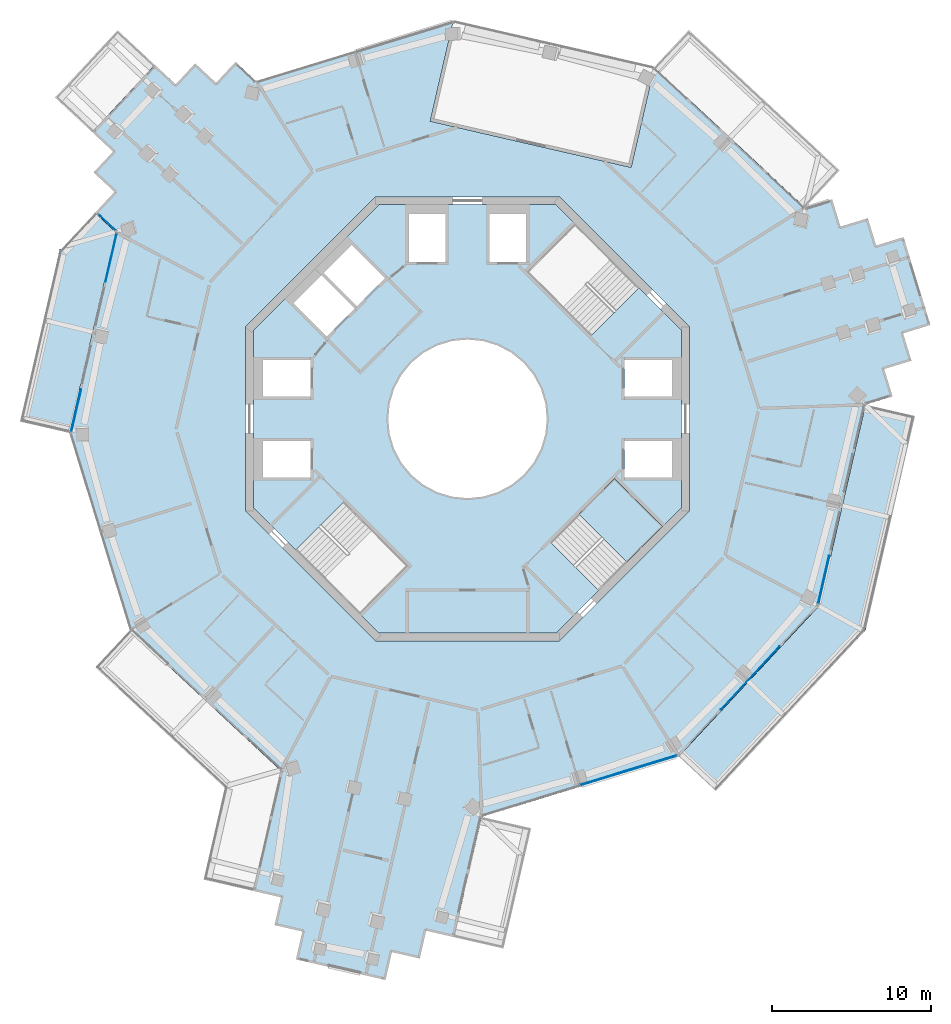
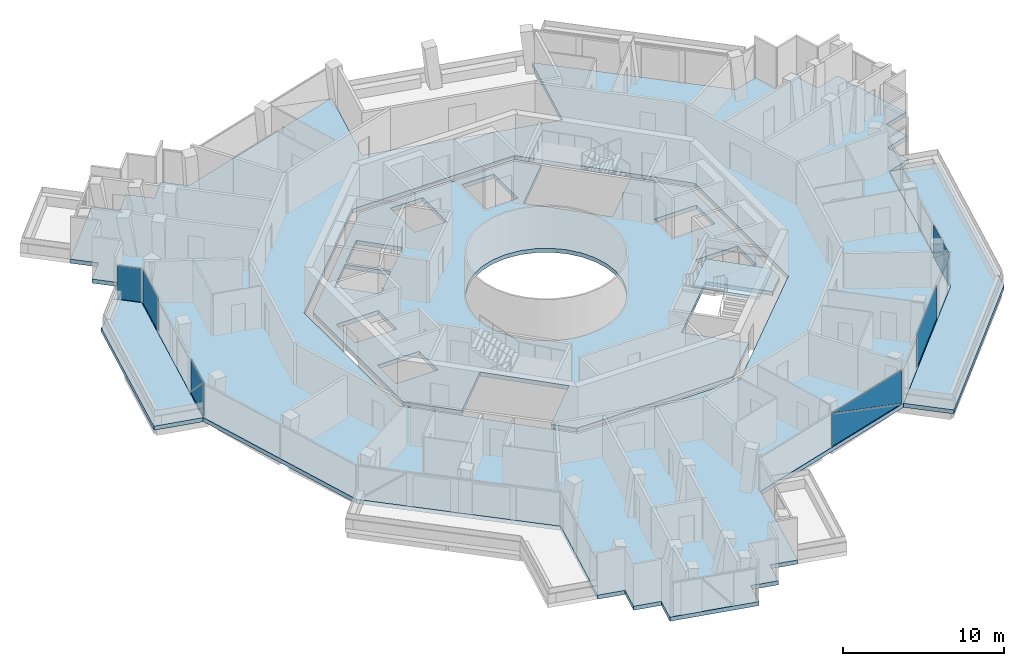
# One storey, part 11 of 21: 9 plates, 5 slabs, 6 elements without a shape of their own.
"""IFC4 building model written with IfcOpenShell, lengths in metres."""

from ifc_helpers import new_model, si_unit, direction, frame, origin, origin_2d, place, context, subcontext, project, spatial, polyline, rectangle, outline, extrude, material, layer, layer_set, type_object, element, aggregate, save


model = new_model("IFC4")

# Units and contexts
model_context = context("Model", 3, precision=1e-05, world=origin(), true_north=direction((0.0, 1.0)))
body_context = subcontext(model_context, "Body", "Model", "MODEL_VIEW")
ifc_project = project(units=[si_unit("LENGTHUNIT", "METRE"), si_unit("AREAUNIT", "SQUARE_METRE"), si_unit("VOLUMEUNIT", "CUBIC_METRE"), si_unit("PLANEANGLEUNIT", "RADIAN"), si_unit("MASSUNIT", "GRAM", prefix="KILO")], contexts=[model_context])

# Site, building, storey
site_placement = place(None, origin())
site = spatial("IfcSite", under=ifc_project, at=site_placement, CompositionType="ELEMENT")
building_placement = place(site_placement, origin())
building = spatial("IfcBuilding", under=site, at=building_placement, Name="Verdalira Terraces Hotel", CompositionType="ELEMENT")
storey_placement = place(building_placement, frame((0.0, 0.0, 227.0)))
storey = spatial("IfcBuildingStorey", under=building, at=storey_placement, Name="L55", CompositionType="ELEMENT", Elevation=227.0)

# Slabs
ifc_material_1 = material(Name="Precast concrete C40/50", Category="concrete")
ifc_layer_1 = layer(ifc_material_1, 0.31005859375)
ifc_layer_set_1 = layer_set([ifc_layer_1], Name="Balcony deck 310")
slab_type_1 = type_object("IfcSlabType", Name="Balcony deck 310", PredefinedType="FLOOR", material=ifc_layer_set_1)
slab_1_placement = place(storey_placement, frame((0.0, 0.0, -0.310059)))
element("IfcSlab", 1, at=slab_1_placement, inside=storey, type_object=slab_type_1, Name="Balcony deck", PredefinedType="FLOOR", context=body_context, shape_type="SweptSolid", body=[
    extrude(outline(polyline([(-25.715576, 10.692139), (-28.216553, -0.17627), (-25.098145, -0.894043), (-22.182617, 11.774902), (-23.487793, 12.990234), (-25.593018, 10.729492), (-25.715576, 10.692139)])), origin(), (0.0, 0.0, 1.0), 0.310059),
])
slab_2_placement = place(storey_placement, frame((0.0, 0.0, -0.310059)))
element("IfcSlab", 2, at=slab_2_placement, inside=storey, type_object=slab_type_1, Name="Balcony deck", PredefinedType="FLOOR", context=body_context, shape_type="SweptSolid", body=[
    extrude(outline(polyline([(28.216553, 0.17627), (25.098145, 0.894043), (22.182617, -11.774902), (13.323242, -21.288574), (15.665039, -23.469482), (25.108887, -13.328125), (28.216553, 0.17627)])), origin(), (0.0, 0.0, 1.0), 0.310059),
])

# Curtain wall, plates
ifc_material_2 = material(Name="Clear glass", Category="glass")
ifc_layer_2 = layer(ifc_material_2, 0.14990234375)
ifc_layer_set_2 = layer_set([ifc_layer_2], Name="CW1 curtain wall")
curtain_wall_type_1 = type_object("IfcCurtainWallType", Name="CW1 curtain wall", PredefinedType="NOTDEFINED", material=ifc_layer_set_2)
curtain_wall_1_placement = place(storey_placement, origin())
curtain_wall_1 = element("IfcCurtainWall", 3, at=curtain_wall_1_placement, inside=storey, type_object=curtain_wall_type_1, Name="CW1 curtain wall L55 edge 11", PredefinedType="NOTDEFINED")
ifc_material_3 = material(Name="Clear glass", Category="glass")
ifc_layer_3 = layer(ifc_material_3, 0.028076171875)
ifc_layer_set_3 = layer_set([ifc_layer_3], Name="CW1 glass unit 28")
plate_type_1 = type_object("IfcPlateType", Name="CW1 glass unit 28", PredefinedType="CURTAIN_PANEL", material=ifc_layer_set_3)
plate_1_placement = place(storey_placement, frame((-22.475098, 10.169678, 0.0), z_axis=(0.0, 0.0, 1.0), x_axis=(-0.224270761, -0.974526873, 0.0)))
plate_1 = element("IfcPlate", 4, at=plate_1_placement, type_object=plate_type_1, Name="CW1 glass unit", PredefinedType="CURTAIN_PANEL", context=body_context, shape_type="SweptSolid", body=[
    extrude(rectangle(XDim=3.139893, YDim=0.028076, at=origin_2d()), origin(), (0.0, 0.0, 1.0), 2.524902),
])
plate_2_placement = place(storey_placement, frame((-24.681885, 0.518066, 1.262451), z_axis=(-0.974526873, 0.224270761, 0.0), x_axis=(-0.224270761, -0.974526873, 0.0)))
plate_2 = element("IfcPlate", 5, at=plate_2_placement, type_object=plate_type_1, Name="CW1 glass unit", PredefinedType="CURTAIN_PANEL", context=body_context, shape_type="SweptSolid", body=[
    extrude(outline(polyline([(-1.369141, -1.262451), (1.369141, -1.262451), (1.369141, 1.262451), (-1.369141, -1.262451)])), origin(), (0.0, 0.0, 1.0), 0.028076),
])
plate_3_placement = place(storey_placement, frame((-24.653564, 0.511475, 1.262451), z_axis=(-0.974526873, 0.224270761, 0.0), x_axis=(-0.224270761, -0.974526873, 0.0)))
plate_3 = element("IfcPlate", 6, at=plate_3_placement, type_object=plate_type_1, Name="CW1 glass unit", PredefinedType="CURTAIN_PANEL", context=body_context, shape_type="SweptSolid", body=[
    extrude(outline(polyline([(-1.369141, -1.262451), (1.369141, 1.262451), (-1.369141, 1.262451), (-1.369141, -1.262451)])), origin(), (0.0, 0.0, 1.0), 0.028076),
])
aggregate(curtain_wall_1, [plate_1, plate_2, plate_3])

curtain_wall_2_placement = place(storey_placement, origin())
curtain_wall_2 = element("IfcCurtainWall", 7, at=curtain_wall_2_placement, inside=storey, type_object=curtain_wall_type_1, Name="CW1 curtain wall L55 edge 25", PredefinedType="NOTDEFINED")
plate_4_placement = place(storey_placement, frame((10.15625, -22.16626, 1.262451), z_axis=(0.29303926, -0.956100409, 0.0), x_axis=(0.956100409, 0.29303926, 0.0)))
plate_4 = element("IfcPlate", 8, at=plate_4_placement, type_object=plate_type_1, Name="CW1 glass unit", PredefinedType="CURTAIN_PANEL", context=body_context, shape_type="SweptSolid", body=[
    extrude(outline(polyline([(-3.185059, -1.262451), (3.185059, -1.262451), (-3.185059, 1.262451), (-3.185059, -1.262451)])), origin(), (0.0, 0.0, 1.0), 0.028076),
])
plate_5_placement = place(storey_placement, frame((10.147705, -22.138428, 1.262451), z_axis=(0.29303926, -0.956100409, 0.0), x_axis=(0.956100409, 0.29303926, 0.0)))
plate_5 = element("IfcPlate", 9, at=plate_5_placement, type_object=plate_type_1, Name="CW1 glass unit", PredefinedType="CURTAIN_PANEL", context=body_context, shape_type="SweptSolid", body=[
    extrude(outline(polyline([(3.185059, -1.262451), (3.185059, 1.262451), (-3.185059, 1.262451), (3.185059, -1.262451)])), origin(), (0.0, 0.0, 1.0), 0.028076),
])
aggregate(curtain_wall_2, [plate_4, plate_5])

# Curtain wall, plate
curtain_wall_3_placement = place(storey_placement, origin())
curtain_wall_3 = element("IfcCurtainWall", 10, at=curtain_wall_3_placement, inside=storey, type_object=curtain_wall_type_1, Name="CW1 curtain wall L55 edge 26", PredefinedType="NOTDEFINED")
plate_6_placement = place(storey_placement, frame((17.820312, -16.349365, 0.0), z_axis=(0.0, 0.0, 1.0), x_axis=(0.681487613, 0.731829648, 0.0)))
plate_6 = element("IfcPlate", 11, at=plate_6_placement, type_object=plate_type_1, Name="CW1 glass unit", PredefinedType="CURTAIN_PANEL", context=body_context, shape_type="SweptSolid", body=[
    extrude(rectangle(XDim=5.432373, YDim=0.028076, at=origin_2d()), origin(), (0.0, 0.0, 1.0), 2.524902),
])
aggregate(curtain_wall_3, [plate_6])

# Curtain wall, plates
curtain_wall_4_placement = place(storey_placement, origin())
curtain_wall_4 = element("IfcCurtainWall", 12, at=curtain_wall_4_placement, inside=storey, type_object=curtain_wall_type_1, Name="CW1 curtain wall L55 edge 27", PredefinedType="NOTDEFINED")
plate_7_placement = place(storey_placement, frame((22.46582, -10.146729, 1.262451), z_axis=(0.974526873, -0.224270761, 0.0), x_axis=(0.224270761, 0.974526873, 0.0)))
plate_7 = element("IfcPlate", 13, at=plate_7_placement, type_object=plate_type_1, Name="CW1 glass unit", PredefinedType="CURTAIN_PANEL", context=body_context, shape_type="SweptSolid", body=[
    extrude(outline(polyline([(-1.549805, -1.262451), (1.549805, -1.262451), (-1.549805, 1.262451), (-1.549805, -1.262451)])), origin(), (0.0, 0.0, 1.0), 0.028076),
])
plate_8_placement = place(storey_placement, frame((22.4375, -10.140137, 1.262451), z_axis=(0.974526873, -0.224270761, 0.0), x_axis=(0.224270761, 0.974526873, 0.0)))
plate_8 = element("IfcPlate", 14, at=plate_8_placement, type_object=plate_type_1, Name="CW1 glass unit", PredefinedType="CURTAIN_PANEL", context=body_context, shape_type="SweptSolid", body=[
    extrude(outline(polyline([(1.549805, -1.262451), (1.549805, 1.262451), (-1.549805, 1.262451), (1.549805, -1.262451)])), origin(), (0.0, 0.0, 1.0), 0.028076),
])
aggregate(curtain_wall_4, [plate_7, plate_8])

# Curtain wall, plate
ifc_material_4 = material(Name="Clear glass", Category="glass")
ifc_layer_4 = layer(ifc_material_4, 0.14990234375)
ifc_layer_set_4 = layer_set([ifc_layer_4], Name="CW2 curtain wall")
curtain_wall_type_2 = type_object("IfcCurtainWallType", Name="CW2 curtain wall", PredefinedType="NOTDEFINED", material=ifc_layer_set_4)
curtain_wall_5_placement = place(storey_placement, origin())
curtain_wall_5 = element("IfcCurtainWall", 15, at=curtain_wall_5_placement, inside=storey, type_object=curtain_wall_type_2, Name="CW2 curtain wall L55 edge 10", PredefinedType="NOTDEFINED")
ifc_material_5 = material(Name="Clear glass", Category="glass")
ifc_layer_5 = layer(ifc_material_5, 0.031982421875)
ifc_layer_set_5 = layer_set([ifc_layer_5], Name="CW2 glass unit 32")
plate_type_2 = type_object("IfcPlateType", Name="CW2 glass unit 32", PredefinedType="CURTAIN_PANEL", material=ifc_layer_set_5)
plate_9_placement = place(storey_placement, frame((-22.729248, 12.386475, 0.0), z_axis=(0.0, 0.0, 1.0), x_axis=(0.731829648, -0.681487613, 0.0)))
plate_9 = element("IfcPlate", 16, at=plate_9_placement, type_object=plate_type_2, Name="CW2 glass unit", PredefinedType="CURTAIN_PANEL", context=body_context, shape_type="SweptSolid", body=[
    extrude(rectangle(XDim=1.493408, YDim=0.031982, at=origin_2d()), origin(), (0.0, 0.0, 1.0), 2.524902),
])
aggregate(curtain_wall_5, [plate_9])

# Slab
ifc_material_6 = material(Name="Concrete C40", Category="concrete")
ifc_layer_6 = layer(ifc_material_6, 0.31005859375)
ifc_layer_set_6 = layer_set([ifc_layer_6], Name="Core floor slab 310 mm")
slab_type_2 = type_object("IfcSlabType", Name="Core floor slab 310 mm", PredefinedType="FLOOR", material=ifc_layer_set_6)
slab_3_placement = place(storey_placement, frame((0.0, 0.0, -0.310059)))
element("IfcSlab", 17, at=slab_3_placement, inside=storey, type_object=slab_type_2, Name="L55 core floor", PredefinedType="FLOOR", context=body_context, shape_type="SweptSolid", body=[
    extrude(outline(polyline([(-6.77417, -12.317871), (-3.719482, -9.263184), (-7.763672, -5.21875), (-10.818359, -8.273438), (-13.5, -5.591797), (-13.5, 5.591797), (-5.591797, 13.5), (5.591797, 13.5), (6.77417, 12.317871), (3.719482, 9.263184), (7.763672, 5.21875), (10.818359, 8.273438), (13.5, 5.591797), (13.5, -5.591797), (12.317871, -6.77417), (9.263184, -3.719482), (5.21875, -7.763672), (8.273438, -10.818359), (5.591797, -13.5), (-5.591797, -13.5), (-6.77417, -12.317871)]), holes=[polyline([(9.899902, -1.399902), (9.899902, -3.699951), (12.899902, -3.699951), (12.899902, -1.399902), (9.899902, -1.399902)]), polyline([(9.899902, 3.699951), (9.899902, 1.399902), (12.899902, 1.399902), (12.899902, 3.699951), (9.899902, 3.699951)]), polyline([(3.699951, 12.899902), (1.399902, 12.899902), (1.399902, 9.899902), (3.699951, 9.899902), (3.699951, 12.899902)]), polyline([(-1.399902, 12.899902), (-3.699951, 12.899902), (-3.699951, 9.899902), (-1.399902, 9.899902), (-1.399902, 12.899902)]), polyline([(-9.899902, 1.399902), (-9.899902, 3.699951), (-12.899902, 3.699951), (-12.899902, 1.399902), (-9.899902, 1.399902)]), polyline([(-9.899902, -3.699951), (-9.899902, -1.399902), (-12.899902, -1.399902), (-12.899902, -3.699951), (-9.899902, -3.699951)]), polyline([(-9.051025, 9.192383), (-6.965088, 7.106445), (-5.197266, 8.874268), (-7.283203, 10.960205), (-9.051025, 9.192383)]), polyline([(-9.192383, 9.051025), (-10.960205, 7.283203), (-8.874268, 5.197266), (-7.106445, 6.965088), (-9.192383, 9.051025)]), polyline([(3.5354, 3.5354), (2.777832, 4.157227), (1.91333, 4.619385), (0.975586, 4.903809), (0.0, 5.0), (-0.975586, 4.903809), (-1.91333, 4.619385), (-2.777832, 4.157227), (-3.5354, 3.5354), (-4.157227, 2.777832), (-4.619385, 1.91333), (-4.903809, 0.975586), (-5.0, 0.0), (-4.903809, -0.975586), (-4.619385, -1.91333), (-4.157227, -2.777832), (-3.5354, -3.5354), (-2.777832, -4.157227), (-1.91333, -4.619385), (-0.975586, -4.903809), (0.0, -5.0), (0.975586, -4.903809), (1.91333, -4.619385), (2.777832, -4.157227), (3.5354, -3.5354), (4.157227, -2.777832), (4.619385, -1.91333), (4.903809, -0.975586), (5.0, 0.0), (4.903809, 0.975586), (4.619385, 1.91333), (4.157227, 2.777832), (3.5354, 3.5354)])]), origin(), (0.0, 0.0, 1.0), 0.310059),
])

# Stair, slab
ifc_material_7 = material(Name="Concrete C40", Category="concrete")
stair_type = type_object("IfcStairType", Name="Core stair 20 risers 2100 mm wide", PredefinedType="HALF_TURN_STAIR", material=ifc_material_7)
stair_placement = place(storey_placement, origin())
stair = element("IfcStair", 18, at=stair_placement, inside=storey, type_object=stair_type, Name="L55 Exit stair ST3", PredefinedType="HALF_TURN_STAIR")
ifc_material_8 = material(Name="Concrete C40", Category="concrete")
ifc_layer_7 = layer(ifc_material_8, 0.199951171875)
ifc_layer_set_7 = layer_set([ifc_layer_7], Name="Core stair landing 200 mm")
slab_type_3 = type_object("IfcSlabType", Name="Core stair landing 200 mm", PredefinedType="LANDING", material=ifc_layer_set_7)
slab_4_placement = place(storey_placement, frame((0.0, 0.0, 1.550049)))
slab_4 = element("IfcSlab", 19, at=slab_4_placement, type_object=slab_type_3, Name="ST3 landing 1", PredefinedType="LANDING", context=body_context, shape_type="SweptSolid", body=[
    extrude(outline(polyline([(10.054688, -9.037109), (12.303711, -6.78833), (9.263184, -3.747559), (7.01416, -5.996582), (10.054688, -9.037109)])), origin(), (0.0, 0.0, 1.0), 0.199951),
])
aggregate(stair, [slab_4])

# Slab
ifc_material_9 = material(Name="Concrete C40", Category="concrete")
ifc_layer_8 = layer(ifc_material_9, 0.31005859375)
ifc_layer_set_8 = layer_set([ifc_layer_8], Name="Floor slab 310 C40")
slab_type_4 = type_object("IfcSlabType", Name="Floor slab 310 C40", PredefinedType="FLOOR", material=ifc_layer_set_8)
slab_5_placement = place(storey_placement, frame((0.0, 0.0, -0.310059)))
element("IfcSlab", 20, at=slab_5_placement, inside=storey, type_object=slab_type_4, Name="Floor slab L55", PredefinedType="FLOOR", context=body_context, shape_type="SweptSolid", body=[
    extrude(outline(polyline([(22.993896, 13.845947), (21.288574, 13.323242), (11.775391, 22.182129), (10.317383, 15.847656), (-2.352295, 18.763428), (-0.894531, 25.0979), (-13.323242, 21.288574), (-14.628418, 22.50415), (-15.855225, 21.186768), (-17.172607, 22.413574), (-18.39917, 21.096191), (-19.716553, 22.322998), (-23.669189, 18.078125), (-22.351807, 16.851562), (-23.578613, 15.53418), (-22.26123, 14.307617), (-23.487793, 12.990234), (-22.182617, 11.774902), (-25.098145, -0.894043), (-21.288574, -13.323242), (-11.774902, -22.182617), (-13.520508, -29.767822), (-11.766357, -30.171631), (-12.169922, -31.925781), (-10.416016, -32.329346), (-10.81958, -34.083496), (-5.167236, -35.384277), (-4.763672, -33.630127), (-3.009521, -34.033936), (-2.605713, -32.279785), (-0.851562, -32.68335), (0.894043, -25.098145), (13.323242, -21.288574), (22.182617, -11.774902), (25.098145, 0.894043), (26.803467, 1.416504), (26.275879, 3.137695), (27.996826, 3.665039), (27.469482, 5.385986), (29.19043, 5.913574), (27.490723, 11.458984), (25.769775, 10.931396), (25.242188, 12.652344), (23.52124, 12.125), (22.993896, 13.845947)]), holes=[polyline([(5.799072, 14.0), (14.0, 5.799072), (14.0, -5.799072), (5.799072, -14.0), (-5.799072, -14.0), (-14.0, -5.799072), (-14.0, 5.799072), (-5.799072, 14.0), (5.799072, 14.0)])]), origin(), (0.0, 0.0, 1.0), 0.310059),
])

save(model, "model.ifc")
